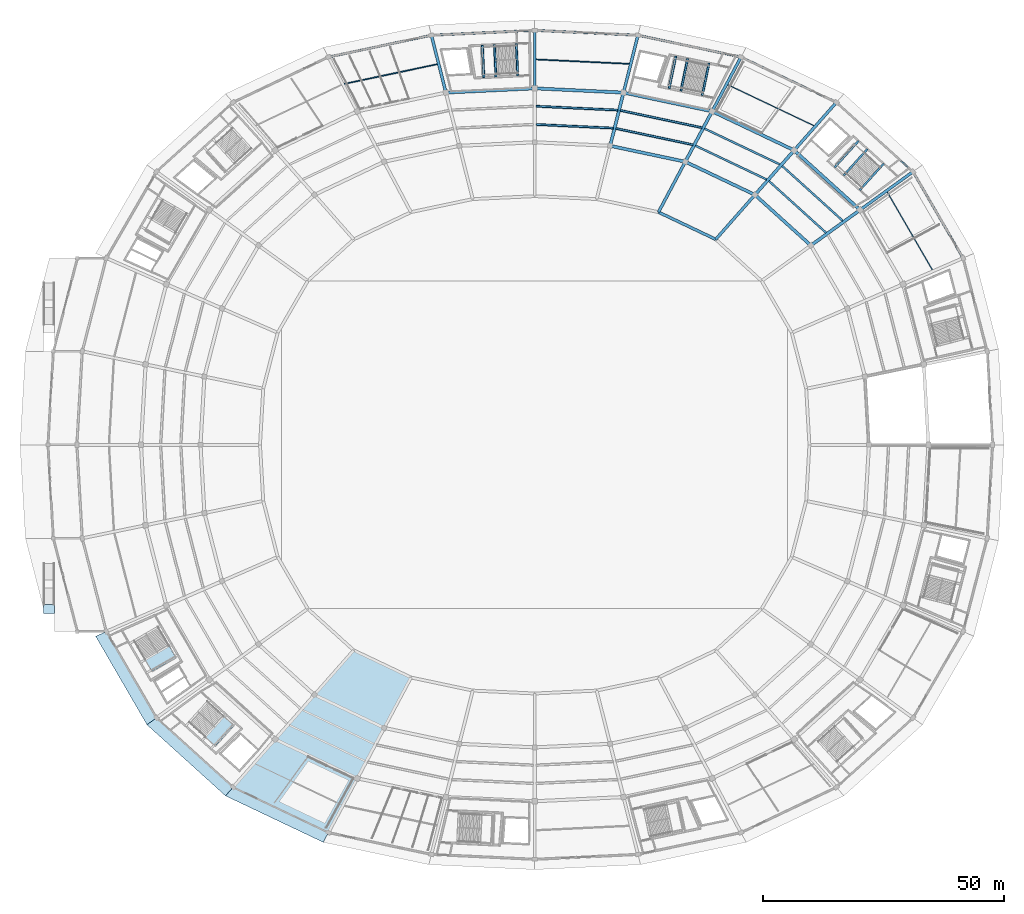
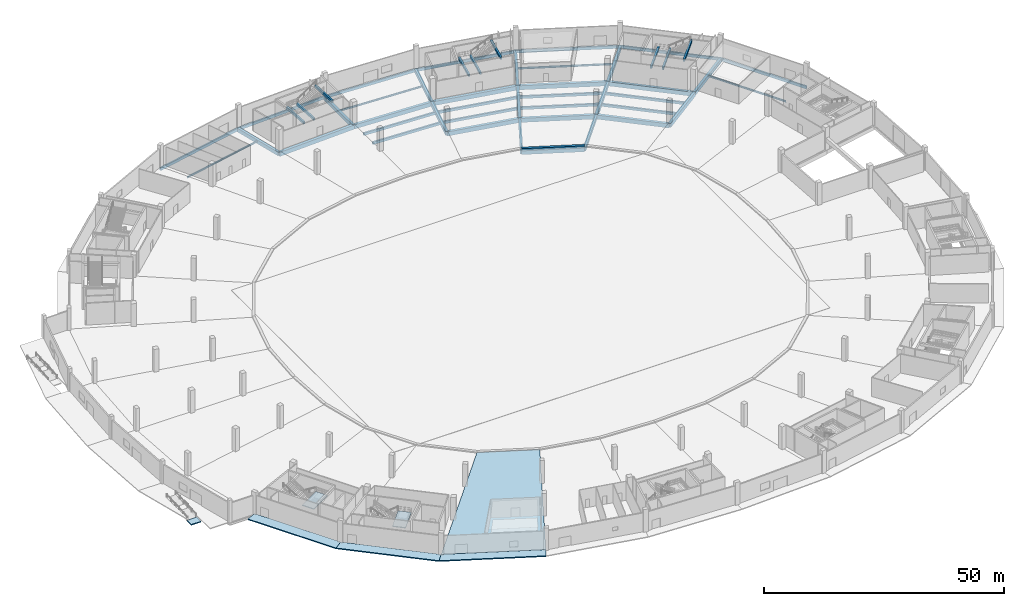
# One storey, part 6 of 48: 50 beams, 7 slabs, 3 elements without a shape of their own.
"""IFC4 building model written with IfcOpenShell, lengths in metres."""

import ifcopenshell
import ifcopenshell.guid

model = None  # the IFC model being written
_history = None  # IfcOwnerHistory: only IFC2X3 demands one
_inside = {}  # id of a spatial element -> (the spatial element, [elements in it])
_under = {}  # id of a project, library or spatial element -> (it, [spatial elements below it])
_declared = {}  # id of a project -> (the project, [libraries it declares])
_typed = {}  # id of a type object -> (the type object, [elements of that type])
_made_of = {}  # id of a material, layer set ... -> (it, [elements and type objects made of it])


def new_model(schema):
    """Start an empty IFC model of exactly this schema.

    Asked for "IFC4X3", IfcOpenShell would pick the latest addendum, in which some entities
    have other attributes; the version numbers below select the first issue.
    IFC2X3 requires an IfcOwnerHistory on every rooted entity: one is made here for all.
    """
    global model, _history
    if schema == "IFC4X3":
        model = ifcopenshell.file(schema_version=(4, 3, 0, 0))
    else:
        model = ifcopenshell.file(schema=schema)
    _inside.clear()
    _under.clear()
    _declared.clear()
    _typed.clear()
    _made_of.clear()
    _history = None
    if model.schema == "IFC2X3":
        org = make("IfcOrganization", Name="unknown")
        user = make(
            "IfcPersonAndOrganization",
            ThePerson=make("IfcPerson", FamilyName="unknown"),
            TheOrganization=org,
        )
        app = make(
            "IfcApplication",
            ApplicationDeveloper=org,
            Version="unknown",
            ApplicationFullName="unknown",
            ApplicationIdentifier="unknown",
        )
        _history = make(
            "IfcOwnerHistory",
            OwningUser=user,
            OwningApplication=app,
            ChangeAction="ADDED",
            CreationDate=0,
        )
    return model


def make(cls, **values):
    """One entity of the class cls with the attributes given. An attribute that is None is left unset."""
    return model.create_entity(
        cls, **{name: value for name, value in values.items() if value is not None}
    )


def rooted(cls, **values):
    """An entity with a GlobalId (a new one), such as an element, a storey or a relation."""
    return make(cls, GlobalId=ifcopenshell.guid.new(), OwnerHistory=_history, **values)


def si_unit(unit_type, name, prefix=None):
    """IfcSIUnit, for example si_unit("LENGTHUNIT", "METRE", prefix="MILLI")."""
    return make("IfcSIUnit", UnitType=unit_type, Prefix=prefix, Name=name)


def assignment(units):
    """IfcUnitAssignment: the units of a project."""
    return None if units is None else make("IfcUnitAssignment", Units=units)


def point(xyz):
    """IfcCartesianPoint."""
    return None if xyz is None else make("IfcCartesianPoint", Coordinates=xyz)


def direction(xyz):
    """IfcDirection."""
    return None if xyz is None else make("IfcDirection", DirectionRatios=xyz)


def frame(location, z_axis=None, x_axis=None):
    """IfcAxis2Placement3D, a coordinate frame: its origin and axes. An axis left out is left unset."""
    return make(
        "IfcAxis2Placement3D",
        Location=point(location),
        Axis=direction(z_axis),
        RefDirection=direction(x_axis),
    )


def frame_2d(location, x_axis=None):
    """IfcAxis2Placement2D, a coordinate frame in the plane: its origin and x axis."""
    return make(
        "IfcAxis2Placement2D", Location=point(location), RefDirection=direction(x_axis)
    )


def origin():
    """The frame at (0, 0, 0) with its axes left unset."""
    return frame((0.0, 0.0, 0.0))


def origin_2d():
    """The frame at (0, 0) in the plane with its x axis left unset."""
    return frame_2d((0.0, 0.0))


def place(relative_to, where):
    """IfcLocalPlacement: puts the frame where relative to a parent placement (None: the world)."""
    return make(
        "IfcLocalPlacement", PlacementRelTo=relative_to, RelativePlacement=where
    )


def context(
    kind, dimensions, precision=None, world=None, true_north=None, identifier=None
):
    """IfcGeometricRepresentationContext, for example the 3D "Model" context."""
    return make(
        "IfcGeometricRepresentationContext",
        ContextIdentifier=identifier,
        ContextType=kind,
        CoordinateSpaceDimension=dimensions,
        Precision=precision,
        WorldCoordinateSystem=world,
        TrueNorth=true_north,
    )


def subcontext(parent, identifier, kind, view, scale=None):
    """IfcGeometricRepresentationSubContext, for example "Body" below "Model"."""
    return make(
        "IfcGeometricRepresentationSubContext",
        ContextIdentifier=identifier,
        ContextType=kind,
        ParentContext=parent,
        TargetScale=scale,
        TargetView=view,
    )


def project(units=None, contexts=None):
    """IfcProject with its units and contexts."""
    return rooted(
        "IfcProject",
        Name="project",
        RepresentationContexts=contexts,
        UnitsInContext=assignment(units),
    )


def spatial(cls, under=None, at=None, **own):
    """A site, building, storey or space (cls), placed at a placement, below another one or the project."""
    s = rooted(cls, ObjectPlacement=at, **own)
    if under is not None:
        _under.setdefault(under.id(), (under, []))[1].append(s)
    return s


def polyline(points):
    """IfcPolyline through the points."""
    return make("IfcPolyline", Points=[point(p) for p in points])


def profile(cls, at=None, kind="AREA", **sizes):
    """A parametric profile (cls). Its sizes go by their IFC names, for example OverallWidth=200.0."""
    return make(cls, ProfileType=kind, Position=at, **sizes)


def rectangle(**sizes):
    """IfcRectangleProfileDef."""
    return profile("IfcRectangleProfileDef", **sizes)


def i_section(**sizes):
    """IfcIShapeProfileDef."""
    return profile("IfcIShapeProfileDef", **sizes)


def outline(outer, holes=None, kind="AREA"):
    """IfcArbitraryClosedProfileDef: a profile drawn as a closed curve; with holes, ...WithVoids."""
    if holes is None:
        return make("IfcArbitraryClosedProfileDef", ProfileType=kind, OuterCurve=outer)
    return make(
        "IfcArbitraryProfileDefWithVoids",
        ProfileType=kind,
        OuterCurve=outer,
        InnerCurves=holes,
    )


def extrude(swept, where, along, depth):
    """IfcExtrudedAreaSolid: the profile swept, set in the frame where, extruded along a direction by depth."""
    return make(
        "IfcExtrudedAreaSolid",
        SweptArea=swept,
        Position=where,
        ExtrudedDirection=direction(along),
        Depth=depth,
    )


def shape(context_of_items, identifier, shape_type, items):
    """IfcShapeRepresentation: the items that make up one representation, for example the "Body"."""
    return make(
        "IfcShapeRepresentation",
        ContextOfItems=context_of_items,
        RepresentationIdentifier=identifier,
        RepresentationType=shape_type,
        Items=items,
    )


def material(Name=None, Category=None):
    """IfcMaterial."""
    return make("IfcMaterial", Name=Name, Category=Category)


def layer(
    of_material, thickness, ventilated=None, Name=None, Category=None, Priority=None
):
    """IfcMaterialLayer: one layer of a wall or slab, of a material (None: an air gap)."""
    return make(
        "IfcMaterialLayer",
        Material=of_material,
        LayerThickness=thickness,
        IsVentilated=ventilated,
        Name=Name,
        Category=Category,
        Priority=Priority,
    )


def layer_set(layers, Name=None):
    """IfcMaterialLayerSet."""
    return make("IfcMaterialLayerSet", MaterialLayers=layers, LayerSetName=Name)


def material_profile(
    of_material, cross_section, Name=None, Category=None, Priority=None
):
    """IfcMaterialProfile: a cross section and its material."""
    return make(
        "IfcMaterialProfile",
        Name=Name,
        Material=of_material,
        Profile=cross_section,
        Priority=Priority,
        Category=Category,
    )


def profile_set(profiles, Name=None, composite=None):
    """IfcMaterialProfileSet."""
    return make(
        "IfcMaterialProfileSet",
        Name=Name,
        MaterialProfiles=profiles,
        CompositeProfile=composite,
    )


def made_of(thing, what):
    """Note that an element or type object is made of a material, layer set ...; save() writes the relation."""
    if what is not None:
        _made_of.setdefault(what.id(), (what, []))[1].append(thing)
    return thing


def type_object(cls, material=None, **own):
    """A type object (cls), such as IfcWallType, which elements share."""
    return made_of(rooted(cls, **own), material)


def element(
    cls,
    number,
    at=None,
    inside=None,
    cuts=None,
    type_object=None,
    material=None,
    context=None,
    identifier="Body",
    shape_type=None,
    held_by="IfcProductDefinitionShape",
    body=None,
    shapes=None,
    **own,
):
    """One element of the class cls, such as IfcWall. Its Tag is "e" and its number.

    at: its placement. inside: the storey or other place that contains it. cuts: it is an
    opening in that element (IfcRelVoidsElement). A single representation is given by context,
    identifier, shape_type and body (its items); several are given by shapes. held_by: the class
    of the entity that holds the representations. save() writes the other relations.
    """
    e = rooted(cls, Tag="e%d" % number, ObjectPlacement=at, **own)
    if body is not None:
        shapes = [shape(context, identifier, shape_type, body)]
    if shapes is not None:
        e.Representation = make(held_by, Representations=shapes)
    if inside is not None:
        _inside.setdefault(inside.id(), (inside, []))[1].append(e)
    if cuts is not None:
        rooted(
            "IfcRelVoidsElement", RelatingBuildingElement=cuts, RelatedOpeningElement=e
        )
    if type_object is not None:
        _typed.setdefault(type_object.id(), (type_object, []))[1].append(e)
    return made_of(e, material)


def aggregate(whole, parts):
    """IfcRelAggregates: a whole, such as a stair, and the parts it consists of."""
    return rooted("IfcRelAggregates", RelatingObject=whole, RelatedObjects=parts)


def save(model, path):
    """Write the relations noted so far, then the file.

    IfcRelAggregates (storeys below a building ...), IfcRelContainedInSpatialStructure (elements
    in a storey), IfcRelDefinesByType, IfcRelAssociatesMaterial and IfcRelDeclares: one each for
    every whole, place, type object, material and project.
    """
    for whole, parts in _under.values():
        aggregate(whole, parts)
    for where, things in _inside.values():
        rooted(
            "IfcRelContainedInSpatialStructure",
            RelatedElements=things,
            RelatingStructure=where,
        )
    for kind, things in _typed.values():
        rooted("IfcRelDefinesByType", RelatedObjects=things, RelatingType=kind)
    for what, things in _made_of.values():
        rooted("IfcRelAssociatesMaterial", RelatedObjects=things, RelatingMaterial=what)
    for by, libraries in _declared.values():
        rooted("IfcRelDeclares", RelatingContext=by, RelatedDefinitions=libraries)
    model.write(path)


model = new_model("IFC4")

# Units and contexts
model_context = context("Model", 3, precision=1e-05, world=origin(), true_north=direction((0.0, 1.0)))
body_context = subcontext(model_context, "Body", "Model", "MODEL_VIEW")
ifc_project = project(units=[si_unit("LENGTHUNIT", "METRE"), si_unit("AREAUNIT", "SQUARE_METRE"), si_unit("VOLUMEUNIT", "CUBIC_METRE"), si_unit("PLANEANGLEUNIT", "RADIAN"), si_unit("MASSUNIT", "GRAM", prefix="KILO")], contexts=[model_context])

# Site, building, storey
site_placement = place(None, origin())
site = spatial("IfcSite", under=ifc_project, at=site_placement, CompositionType="ELEMENT")
building_placement = place(site_placement, origin())
building = spatial("IfcBuilding", under=site, at=building_placement, Name="Kazemori Nagisa Stadium", CompositionType="ELEMENT")
storey_placement = place(building_placement, origin())
storey = spatial("IfcBuildingStorey", under=building, at=storey_placement, Name="L00", CompositionType="ELEMENT", Elevation=0.0)

# Beams
ifc_material_1 = material(Name="Concrete C40/50 (Fc42)", Category="concrete")
ifc_material_profile_1 = material_profile(ifc_material_1, rectangle(XDim=0.39990234375, YDim=0.60009765625, at=origin_2d()), Name="RC-BM-400x600")
ifc_profile_set_1 = profile_set([ifc_material_profile_1], Name="Concrete C40/50 (Fc42)")
beam_type_1 = type_object("IfcBeamType", Name="Beam_BG-LND400X600", PredefinedType="BEAM", material=ifc_profile_set_1)
beam_1_placement = place(storey_placement, frame((187.09619140625, 157.908203125, 2.389892578125), z_axis=(0.671113236271, 0.74135485707, 0.0), x_axis=(-0.74135485707, 0.671113236271, 0.0)))
element("IfcBeam", 1, at=beam_1_placement, inside=storey, type_object=beam_type_1, Name="Core stair mid-landing girder ST01-L00-1", PredefinedType="BEAM", context=body_context, shape_type="SweptSolid", body=[
    extrude(rectangle(XDim=0.39990234375, YDim=0.60009765625, at=origin_2d()), origin(), (0.0, 0.0, 1.0), 7.385986328125),
])
for number, where, z_axis, x_axis, name in (
    (2, (185.24267578125, 159.586181640625, 2.389892578125), (0.671129682405, 0.741339968837, 0.0), (-0.741339968837, 0.671129682405, 0.0), "Core stair mid-landing girder ST01-L00-2"),
    (3, (190.454345703125, 154.8681640625, 5.199951171875), (0.671129682405, 0.741339968837, 0.0), (-0.741339968837, 0.671129682405, 0.0), "Core stair arrival header girder ST01-L00"),
):
    element("IfcBeam", number, at=place(storey_placement, frame(where, z_axis=z_axis, x_axis=x_axis)), inside=storey, type_object=beam_type_1, Name=name, PredefinedType="BEAM", context=body_context, shape_type="SweptSolid", body=[
        extrude(rectangle(XDim=0.39990234375, YDim=0.60009765625, at=origin_2d()), origin(), (0.0, 0.0, 1.0), 7.3857421875),
    ])
for number, where, z_axis, x_axis, name in (
    (4, (153.32275390625, 175.436767578125, 2.389892578125), (0.206963195966, 0.97834872899, 0.0), (-0.97834872899, 0.206963195966, 0.0), "Core stair mid-landing girder ST11-L00-1"),
    (5, (150.876708984375, 175.954345703125, 2.389892578125), (0.206997403527, 0.978341491982, 0.0), (-0.978341491982, 0.206997403527, 0.0), "Core stair mid-landing girder ST11-L00-2"),
    (6, (157.754638671875, 174.499267578125, 5.199951171875), (0.206963195966, 0.97834872899, 0.0), (-0.97834872899, 0.206963195966, 0.0), "Core stair arrival header girder ST11-L00"),
):
    element("IfcBeam", number, at=place(storey_placement, frame(where, z_axis=z_axis, x_axis=x_axis)), inside=storey, type_object=beam_type_1, Name=name, PredefinedType="BEAM", context=body_context, shape_type="SweptSolid", body=[
        extrude(rectangle(XDim=0.39990234375, YDim=0.60009765625, at=origin_2d()), origin(), (0.0, 0.0, 1.0), 6.831298828125),
    ])
beam_2_placement = place(storey_placement, frame((114.95556640625, 178.33154296875, 2.389892578125), z_axis=(-0.047257010545, 0.998882763368, 0.0), x_axis=(-0.998882763368, -0.047257010545, 0.0)))
element("IfcBeam", 7, at=beam_2_placement, inside=storey, type_object=beam_type_1, Name="Core stair mid-landing girder ST05-L00-1", PredefinedType="BEAM", context=body_context, shape_type="SweptSolid", body=[
    extrude(rectangle(XDim=0.39990234375, YDim=0.60009765625, at=origin_2d()), origin(), (0.0, 0.0, 1.0), 6.70068359375),
])
for number, where, z_axis, x_axis, name in (
    (8, (112.458251953125, 178.213623046875, 2.389892578125), (-0.047222374852, 0.998884401377, 0.0), (-0.998884401377, -0.047222374852, 0.0), "Core stair mid-landing girder ST05-L00-2"),
    (9, (119.48046875, 178.545654296875, 5.199951171875), (-0.047222374852, 0.998884401377, 0.0), (-0.998884401377, -0.047222374852, 0.0), "Core stair arrival header girder ST05-L00"),
):
    element("IfcBeam", number, at=place(storey_placement, frame(where, z_axis=z_axis, x_axis=x_axis)), inside=storey, type_object=beam_type_1, Name=name, PredefinedType="BEAM", context=body_context, shape_type="SweptSolid", body=[
        extrude(rectangle(XDim=0.39990234375, YDim=0.60009765625, at=origin_2d()), origin(), (0.0, 0.0, 1.0), 6.700439453125),
    ])
ifc_material_profile_2 = material_profile(ifc_material_1, rectangle(XDim=0.60009765625, YDim=0.949951171875, at=origin_2d()), Name="RC-BM-600x950")
ifc_profile_set_2 = profile_set([ifc_material_profile_2], Name="Concrete C40/50 (Fc42)")
beam_type_2 = type_object("IfcBeamType", Name="Beam_BG-RC600X950", PredefinedType="BEAM", material=ifc_profile_set_2)
beam_3_placement = place(storey_placement, frame((160.558837890625, 144.635498046875, -0.77490234375), z_axis=(-0.903219207247, 0.429179523812, 0.0), x_axis=(-0.429179523812, -0.903219207247, 0.0)))
element("IfcBeam", 10, at=beam_3_placement, inside=storey, type_object=beam_type_2, Name="Ring girder BG-RC600X950 L00 R0-05", PredefinedType="BEAM", context=body_context, shape_type="SweptSolid", body=[
    extrude(rectangle(XDim=0.60009765625, YDim=0.949951171875, at=origin_2d()), origin(), (0.0, 0.0, 1.0), 13.1484375),
])
beam_4_placement = place(storey_placement, frame((160.558837890625, 144.635498046875, -0.77490234375), z_axis=(0.66102389667, 0.750364849943, 0.0), x_axis=(-0.750364849943, 0.66102389667, 0.0)))
element("IfcBeam", 11, at=beam_4_placement, inside=storey, type_object=beam_type_2, Name="Radial girder BG-RC600X950 L00 R0-R1-05", PredefinedType="BEAM", context=body_context, shape_type="SweptSolid", body=[
    extrude(rectangle(XDim=0.60009765625, YDim=0.949951171875, at=origin_2d()), origin(), (0.0, 0.0, 1.0), 12.310791015625),
])
beam_5_placement = place(storey_placement, frame((148.682861328125, 150.278564453125, -0.77490234375), z_axis=(0.469654321007, 0.882850394325, 0.0), x_axis=(-0.882850394325, 0.469654321007, 0.0)))
element("IfcBeam", 12, at=beam_5_placement, inside=storey, type_object=beam_type_2, Name="Radial girder BG-RC600X950 L00 R0-R1-06", PredefinedType="BEAM", context=body_context, shape_type="SweptSolid", body=[
    extrude(rectangle(XDim=0.60009765625, YDim=0.949951171875, at=origin_2d()), origin(), (0.0, 0.0, 1.0), 11.848388671875),
])
beam_6_placement = place(storey_placement, frame((190.506103515625, 150.734130859375, -0.77490234375), z_axis=(0.810787509935, 0.585340596349, 0.0), x_axis=(-0.585340596349, 0.810787509935, 0.0)))
element("IfcBeam", 13, at=beam_6_placement, inside=storey, type_object=beam_type_2, Name="Radial girder BG-RC600X950 L00 R2-R3-04", PredefinedType="BEAM", context=body_context, shape_type="SweptSolid", body=[
    extrude(rectangle(XDim=0.60009765625, YDim=0.949951171875, at=origin_2d()), origin(), (0.0, 0.0, 1.0), 13.5537109375),
])
beam_7_placement = place(storey_placement, frame((176.834228515625, 163.11083984375, -0.77490234375), z_axis=(0.661019680997, 0.750368563664, 0.0), x_axis=(-0.750368563664, 0.661019680997, 0.0)))
element("IfcBeam", 14, at=beam_7_placement, inside=storey, type_object=beam_type_2, Name="Radial girder BG-RC600X950 L00 R2-R3-05", PredefinedType="BEAM", context=body_context, shape_type="SweptSolid", body=[
    extrude(rectangle(XDim=0.60009765625, YDim=0.949951171875, at=origin_2d()), origin(), (0.0, 0.0, 1.0), 13.2578125),
])
beam_8_placement = place(storey_placement, frame((159.81201171875, 171.19921875, -0.77490234375), z_axis=(0.469648511848, 0.882853484628, 0.0), x_axis=(-0.882853484628, 0.469648511848, 0.0)))
element("IfcBeam", 15, at=beam_8_placement, inside=storey, type_object=beam_type_2, Name="Radial girder BG-RC600X950 L00 R2-R3-06", PredefinedType="BEAM", context=body_context, shape_type="SweptSolid", body=[
    extrude(rectangle(XDim=0.60009765625, YDim=0.949951171875, at=origin_2d()), origin(), (0.0, 0.0, 1.0), 12.760009765625),
])
beam_9_placement = place(storey_placement, frame((141.427734375, 175.088623046875, -0.77490234375), z_axis=(0.244487324834, 0.969652488263, 0.0), x_axis=(-0.969652488263, 0.244487324834, 0.0)))
element("IfcBeam", 16, at=beam_9_placement, inside=storey, type_object=beam_type_2, Name="Radial girder BG-RC600X950 L00 R2-R3-07", PredefinedType="BEAM", context=body_context, shape_type="SweptSolid", body=[
    extrude(rectangle(XDim=0.60009765625, YDim=0.949951171875, at=origin_2d()), origin(), (0.0, 0.0, 1.0), 12.2705078125),
])
beam_10_placement = place(storey_placement, frame((123.0, 175.9599609375, -0.77490234375), z_axis=(0.0, 1.0, 0.0), x_axis=(-1.0, 0.0, 0.0)))
element("IfcBeam", 17, at=beam_10_placement, inside=storey, type_object=beam_type_2, Name="Radial girder BG-RC600X950 L00 R2-R3-08", PredefinedType="BEAM", context=body_context, shape_type="SweptSolid", body=[
    extrude(rectangle(XDim=0.60009765625, YDim=0.949951171875, at=origin_2d()), origin(), (0.0, 0.0, 1.0), 12.0400390625),
])
beam_11_placement = place(storey_placement, frame((104.572265625, 175.088623046875, -0.77490234375), z_axis=(-0.244487324834, 0.969652488263, 0.0), x_axis=(-0.969652488263, -0.244487324834, 0.0)))
element("IfcBeam", 18, at=beam_11_placement, inside=storey, type_object=beam_type_2, Name="Radial girder BG-RC600X950 L00 R2-R3-09", PredefinedType="BEAM", context=body_context, shape_type="SweptSolid", body=[
    extrude(rectangle(XDim=0.60009765625, YDim=0.949951171875, at=origin_2d()), origin(), (0.0, 0.0, 1.0), 12.2705078125),
])
beam_12_placement = place(storey_placement, frame((160.558837890625, 144.635498046875, -0.199951171875), z_axis=(-0.903219207247, 0.429179523812, 0.0), x_axis=(-0.429179523812, -0.903219207247, 0.0)))
element("IfcBeam", 19, at=beam_12_placement, inside=storey, type_object=beam_type_2, Name="Lower tier front ring beam 05", PredefinedType="BEAM", context=body_context, shape_type="SweptSolid", body=[
    extrude(rectangle(XDim=0.60009765625, YDim=0.949951171875, at=origin_2d()), origin(), (0.0, 0.0, 1.0), 13.1484375),
])
ifc_material_profile_3 = material_profile(ifc_material_1, rectangle(XDim=0.64990234375, YDim=1.050048828125, at=origin_2d()), Name="RC-BM-650x1050")
ifc_profile_set_3 = profile_set([ifc_material_profile_3], Name="Concrete C40/50 (Fc42)")
beam_type_3 = type_object("IfcBeamType", Name="Beam_BG-RC650X1050", PredefinedType="BEAM", material=ifc_profile_set_3)
beam_13_placement = place(storey_placement, frame((180.301513671875, 143.367431640625, -0.824951171875), z_axis=(-0.741349160152, 0.6711195294, 0.0), x_axis=(-0.6711195294, -0.741349160152, 0.0)))
element("IfcBeam", 20, at=beam_13_placement, inside=storey, type_object=beam_type_3, Name="Ring girder BG-RC650X1050 L00 R1-04", PredefinedType="BEAM", context=body_context, shape_type="SweptSolid", body=[
    extrude(rectangle(XDim=0.64990234375, YDim=1.050048828125, at=origin_2d()), origin(), (0.0, 0.0, 1.0), 15.65380859375),
])
beam_14_placement = place(storey_placement, frame((168.696533203125, 153.873046875, -0.824951171875), z_axis=(-0.903211989129, 0.429194714196, 0.0), x_axis=(-0.429194714196, -0.903211989129, 0.0)))
element("IfcBeam", 21, at=beam_14_placement, inside=storey, type_object=beam_type_3, Name="Ring girder BG-RC650X1050 L00 R1-05", PredefinedType="BEAM", context=body_context, shape_type="SweptSolid", body=[
    extrude(rectangle(XDim=0.64990234375, YDim=1.050048828125, at=origin_2d()), origin(), (0.0, 0.0, 1.0), 15.997314453125),
])
beam_15_placement = place(storey_placement, frame((154.24755859375, 160.739013671875, -0.824951171875), z_axis=(-0.978348272746, 0.206965352692, 0.0), x_axis=(-0.206965352692, -0.978348272746, 0.0)))
element("IfcBeam", 22, at=beam_15_placement, inside=storey, type_object=beam_type_3, Name="Ring girder BG-RC650X1050 L00 R1-06", PredefinedType="BEAM", context=body_context, shape_type="SweptSolid", body=[
    extrude(rectangle(XDim=0.64990234375, YDim=1.050048828125, at=origin_2d()), origin(), (0.0, 0.0, 1.0), 15.950927734375),
])
beam_16_placement = place(storey_placement, frame((190.506103515625, 150.734130859375, -0.824951171875), z_axis=(-0.741349142139, 0.671119549298, 0.0), x_axis=(-0.671119549298, -0.741349142139, 0.0)))
element("IfcBeam", 23, at=beam_16_placement, inside=storey, type_object=beam_type_3, Name="Ring girder BG-RC650X1050 L00 R2-04", PredefinedType="BEAM", context=body_context, shape_type="SweptSolid", body=[
    extrude(rectangle(XDim=0.64990234375, YDim=1.050048828125, at=origin_2d()), origin(), (0.0, 0.0, 1.0), 18.44189453125),
])
beam_17_placement = place(storey_placement, frame((176.834228515625, 163.11083984375, -0.824951171875), z_axis=(-0.90321938295, 0.42917915404, 0.0), x_axis=(-0.42917915404, -0.90321938295, 0.0)))
element("IfcBeam", 24, at=beam_17_placement, inside=storey, type_object=beam_type_3, Name="Ring girder BG-RC650X1050 L00 R2-05", PredefinedType="BEAM", context=body_context, shape_type="SweptSolid", body=[
    extrude(rectangle(XDim=0.64990234375, YDim=1.050048828125, at=origin_2d()), origin(), (0.0, 0.0, 1.0), 18.84619140625),
])
beam_18_placement = place(storey_placement, frame((159.81201171875, 171.19921875, -0.824951171875), z_axis=(-0.978345149833, 0.206980114499, 0.0), x_axis=(-0.206980114499, -0.978345149833, 0.0)))
element("IfcBeam", 25, at=beam_18_placement, inside=storey, type_object=beam_type_3, Name="Ring girder BG-RC650X1050 L00 R2-06", PredefinedType="BEAM", context=body_context, shape_type="SweptSolid", body=[
    extrude(rectangle(XDim=0.64990234375, YDim=1.050048828125, at=origin_2d()), origin(), (0.0, 0.0, 1.0), 18.791259765625),
])
for number, where, z_axis, x_axis, name in (
    (26, (141.427734375, 175.088623046875, -0.824951171875), (-0.9988839804, 0.047231278829, 0.0), (-0.047231278829, -0.9988839804, 0.0), "Ring girder BG-RC650X1050 L00 R2-07"),
    (27, (123.0, 175.9599609375, -0.824951171875), (-0.9988839804, -0.047231278829, 0.0), (0.047231278829, -0.9988839804, 0.0), "Ring girder BG-RC650X1050 L00 R2-08"),
):
    element("IfcBeam", number, at=place(storey_placement, frame(where, z_axis=z_axis, x_axis=x_axis)), inside=storey, type_object=beam_type_3, Name=name, PredefinedType="BEAM", context=body_context, shape_type="SweptSolid", body=[
        extrude(rectangle(XDim=0.64990234375, YDim=1.050048828125, at=origin_2d()), origin(), (0.0, 0.0, 1.0), 18.4482421875),
    ])
beam_19_placement = place(storey_placement, frame((180.301513671875, 143.367431640625, -0.824951171875), z_axis=(0.810802996314, 0.585319144714, 0.0), x_axis=(-0.585319144714, 0.810802996314, 0.0)))
element("IfcBeam", 28, at=beam_19_placement, inside=storey, type_object=beam_type_3, Name="Radial girder BG-RC650X1050 L00 R1-R2-04", PredefinedType="BEAM", context=body_context, shape_type="SweptSolid", body=[
    extrude(rectangle(XDim=0.64990234375, YDim=1.050048828125, at=origin_2d()), origin(), (0.0, 0.0, 1.0), 12.585693359375),
])
beam_20_placement = place(storey_placement, frame((168.696533203125, 153.873046875, -0.824951171875), z_axis=(0.66101406015, 0.75037351518, 0.0), x_axis=(-0.75037351518, 0.66101406015, 0.0)))
element("IfcBeam", 29, at=beam_20_placement, inside=storey, type_object=beam_type_3, Name="Radial girder BG-RC650X1050 L00 R1-R2-05", PredefinedType="BEAM", context=body_context, shape_type="SweptSolid", body=[
    extrude(rectangle(XDim=0.64990234375, YDim=1.050048828125, at=origin_2d()), origin(), (0.0, 0.0, 1.0), 12.31103515625),
])
beam_21_placement = place(storey_placement, frame((154.24755859375, 160.739013671875, -0.824951171875), z_axis=(0.469646804203, 0.882854393036, 0.0), x_axis=(-0.882854393036, 0.469646804203, 0.0)))
element("IfcBeam", 30, at=beam_21_placement, inside=storey, type_object=beam_type_3, Name="Radial girder BG-RC650X1050 L00 R1-R2-06", PredefinedType="BEAM", context=body_context, shape_type="SweptSolid", body=[
    extrude(rectangle(XDim=0.64990234375, YDim=1.050048828125, at=origin_2d()), origin(), (0.0, 0.0, 1.0), 11.84814453125),
])
beam_22_placement = place(storey_placement, frame((138.64208984375, 164.040283203125, -0.824951171875), z_axis=(0.244481205955, 0.969654031052, 0.0), x_axis=(-0.969654031052, 0.244481205955, 0.0)))
element("IfcBeam", 31, at=beam_22_placement, inside=storey, type_object=beam_type_3, Name="Radial girder BG-RC650X1050 L00 R1-R2-07", PredefinedType="BEAM", context=body_context, shape_type="SweptSolid", body=[
    extrude(rectangle(XDim=0.64990234375, YDim=1.050048828125, at=origin_2d()), origin(), (0.0, 0.0, 1.0), 11.39404296875),
])
ifc_material_2 = material(Name="Steel SN490B", Category="steel")
ifc_material_profile_4 = material_profile(ifc_material_2, i_section(OverallWidth=0.199951171875, OverallDepth=0.449951171875, WebThickness=0.009033203125, FlangeThickness=0.013916015625, FilletRadius=0.012939453125, at=origin_2d()), Name="H-450x200x9x14")
ifc_profile_set_4 = profile_set([ifc_material_profile_4], Name="Steel SN490B")
beam_type_4 = type_object("IfcBeamType", Name="Beam_BJ-H450", PredefinedType="JOIST", material=ifc_profile_set_4)
beam_23_placement = place(storey_placement, frame((205.514892578125, 138.292236328125, -0.52490234375), z_axis=(-0.501603616832, 0.865097573446, 0.0), x_axis=(-0.865097573446, -0.501603616832, 0.0)))
element("IfcBeam", 32, at=beam_23_placement, inside=storey, type_object=beam_type_4, Name="Outer bay joist BJ-H450 L00 B03", PredefinedType="JOIST", context=body_context, shape_type="SweptSolid", body=[
    extrude(i_section(OverallWidth=0.199951171875, OverallDepth=0.449951171875, WebThickness=0.009033203125, FlangeThickness=0.013916015625, FilletRadius=0.012939453125, at=origin_2d()), origin(), (0.0, 0.0, 1.0), 18.672607421875),
])
beam_24_placement = place(storey_placement, frame((180.94970703125, 168.21142578125, -0.52490234375), z_axis=(-0.903215938438, 0.429186403036, 0.0), x_axis=(-0.429186403036, -0.903215938438, 0.0)))
element("IfcBeam", 33, at=beam_24_placement, inside=storey, type_object=beam_type_4, Name="Outer bay joist BJ-H450 L00 B05", PredefinedType="JOIST", context=body_context, shape_type="SweptSolid", body=[
    extrude(i_section(OverallWidth=0.199951171875, OverallDepth=0.449951171875, WebThickness=0.009033203125, FlangeThickness=0.013916015625, FilletRadius=0.012939453125, at=origin_2d()), origin(), (0.0, 0.0, 1.0), 19.7900390625),
])
beam_25_placement = place(storey_placement, frame((142.633056640625, 181.0517578125, -0.52490234375), z_axis=(-0.998884200224, 0.04722662959, 0.0), x_axis=(-0.04722662959, -0.998884200224, 0.0)))
element("IfcBeam", 34, at=beam_25_placement, inside=storey, type_object=beam_type_4, Name="Outer bay joist BJ-H450 L00 B07", PredefinedType="JOIST", context=body_context, shape_type="SweptSolid", body=[
    extrude(i_section(OverallWidth=0.199951171875, OverallDepth=0.449951171875, WebThickness=0.009033203125, FlangeThickness=0.013916015625, FilletRadius=0.012939453125, at=origin_2d()), origin(), (0.0, 0.0, 1.0), 19.35986328125),
])
beam_26_placement = place(storey_placement, frame((102.78369140625, 180.976806640625, -0.52490234375), z_axis=(-0.978343969274, -0.206985694639, 0.0), x_axis=(0.206985694639, -0.978343969274, 0.0)))
element("IfcBeam", 35, at=beam_26_placement, inside=storey, type_object=beam_type_4, Name="Outer bay joist BJ-H450 L00 B09", PredefinedType="JOIST", context=body_context, shape_type="SweptSolid", body=[
    extrude(i_section(OverallWidth=0.199951171875, OverallDepth=0.449951171875, WebThickness=0.009033203125, FlangeThickness=0.013916015625, FilletRadius=0.012939453125, at=origin_2d()), origin(), (0.0, 0.0, 1.0), 19.730712890625),
])
ifc_material_profile_5 = material_profile(ifc_material_1, rectangle(XDim=0.39990234375, YDim=0.64990234375, at=origin_2d()), Name="RC-BM-400x650")
ifc_profile_set_5 = profile_set([ifc_material_profile_5], Name="Concrete C40/50 (Fc42)")
beam_type_5 = type_object("IfcBeamType", Name="Beam_BJ-RC400X650", PredefinedType="JOIST", material=ifc_profile_set_5)
beam_27_placement = place(storey_placement, frame((183.458251953125, 146.001953125, -0.625), z_axis=(-0.741344716793, 0.671124437704, 0.0), x_axis=(-0.671124437704, -0.741344716793, 0.0)))
element("IfcBeam", 36, at=beam_27_placement, inside=storey, type_object=beam_type_5, Name="Concourse joist BJ-RC400X650 L00 B04-1", PredefinedType="JOIST", context=body_context, shape_type="SweptSolid", body=[
    extrude(rectangle(XDim=0.39990234375, YDim=0.64990234375, at=origin_2d()), origin(), (0.0, 0.0, 1.0), 15.986328125),
])
beam_28_placement = place(storey_placement, frame((186.912109375, 148.495361328125, -0.625), z_axis=(-0.741349213887, 0.671119470041, 0.0), x_axis=(-0.671119470041, -0.741349213887, 0.0)))
element("IfcBeam", 37, at=beam_28_placement, inside=storey, type_object=beam_type_5, Name="Concourse joist BJ-RC400X650 L00 B04-2", PredefinedType="JOIST", context=body_context, shape_type="SweptSolid", body=[
    extrude(rectangle(XDim=0.39990234375, YDim=0.64990234375, at=origin_2d()), origin(), (0.0, 0.0, 1.0), 16.9296875),
])
beam_29_placement = place(storey_placement, frame((171.121826171875, 157.05517578125, -0.625), z_axis=(-0.903215717065, 0.429186868912, 0.0), x_axis=(-0.429186868912, -0.903215717065, 0.0)))
element("IfcBeam", 38, at=beam_29_placement, inside=storey, type_object=beam_type_5, Name="Concourse joist BJ-RC400X650 L00 B05-1", PredefinedType="JOIST", context=body_context, shape_type="SweptSolid", body=[
    extrude(rectangle(XDim=0.39990234375, YDim=0.64990234375, at=origin_2d()), origin(), (0.0, 0.0, 1.0), 16.349609375),
])
beam_30_placement = place(storey_placement, frame((173.8759765625, 160.181884765625, -0.625), z_axis=(-0.903215468459, 0.429187392099, 0.0), x_axis=(-0.429187392099, -0.903215468459, 0.0)))
element("IfcBeam", 39, at=beam_30_placement, inside=storey, type_object=beam_type_5, Name="Concourse joist BJ-RC400X650 L00 B05-2", PredefinedType="JOIST", context=body_context, shape_type="SweptSolid", body=[
    extrude(rectangle(XDim=0.39990234375, YDim=0.64990234375, at=origin_2d()), origin(), (0.0, 0.0, 1.0), 17.31396484375),
])
beam_31_placement = place(storey_placement, frame((155.799560546875, 164.260009765625, -0.625), z_axis=(-0.978345737153, 0.206977338361, 0.0), x_axis=(-0.206977338361, -0.978345737153, 0.0)))
element("IfcBeam", 40, at=beam_31_placement, inside=storey, type_object=beam_type_5, Name="Concourse joist BJ-RC400X650 L00 B06-1", PredefinedType="JOIST", context=body_context, shape_type="SweptSolid", body=[
    extrude(rectangle(XDim=0.39990234375, YDim=0.64990234375, at=origin_2d()), origin(), (0.0, 0.0, 1.0), 16.30029296875),
])
beam_32_placement = place(storey_placement, frame((157.682861328125, 167.80029296875, -0.625), z_axis=(-0.97834325925, 0.206989050628, 0.0), x_axis=(-0.206989050628, -0.97834325925, 0.0)))
element("IfcBeam", 41, at=beam_32_placement, inside=storey, type_object=beam_type_5, Name="Concourse joist BJ-RC400X650 L00 B06-2", PredefinedType="JOIST", context=body_context, shape_type="SweptSolid", body=[
    extrude(rectangle(XDim=0.39990234375, YDim=0.64990234375, at=origin_2d()), origin(), (0.0, 0.0, 1.0), 17.26171875),
])
beam_33_placement = place(storey_placement, frame((139.26904296875, 167.708740234375, -0.625), z_axis=(-0.998883867028, 0.047233676462, 0.0), x_axis=(-0.047233676462, -0.998883867028, 0.0)))
element("IfcBeam", 42, at=beam_33_placement, inside=storey, type_object=beam_type_5, Name="Concourse joist BJ-RC400X650 L00 B07-1", PredefinedType="JOIST", context=body_context, shape_type="SweptSolid", body=[
    extrude(rectangle(XDim=0.39990234375, YDim=0.64990234375, at=origin_2d()), origin(), (0.0, 0.0, 1.0), 15.9921875),
])
beam_34_placement = place(storey_placement, frame((140.211669921875, 171.4482421875, -0.625), z_axis=(-0.998884256715, 0.047225434754, 0.0), x_axis=(-0.047225434754, -0.998884256715, 0.0)))
element("IfcBeam", 43, at=beam_34_placement, inside=storey, type_object=beam_type_5, Name="Concourse joist BJ-RC400X650 L00 B07-2", PredefinedType="JOIST", context=body_context, shape_type="SweptSolid", body=[
    extrude(rectangle(XDim=0.39990234375, YDim=0.64990234375, at=origin_2d()), origin(), (0.0, 0.0, 1.0), 16.935791015625),
])
ifc_material_profile_6 = material_profile(ifc_material_1, rectangle(XDim=0.35009765625, YDim=0.699951171875, at=origin_2d()), Name="RC-SP-350x700")
ifc_profile_set_6 = profile_set([ifc_material_profile_6], Name="Concrete C40/50 (Fc42)")
beam_type_6 = type_object("IfcBeamType", Name="Beam_BS-RC350X700", PredefinedType="SPANDREL", material=ifc_profile_set_6)
beam_35_placement = place(storey_placement, frame((211.885009765625, 140.74951171875, -0.64990234375), z_axis=(-0.50161277459, 0.8650922635, 0.0), x_axis=(-0.8650922635, -0.50161277459, 0.0)))
element("IfcBeam", 44, at=beam_35_placement, inside=storey, type_object=beam_type_6, Name="Ring girder BS-RC350X700 L00 R3-03", PredefinedType="SPANDREL", context=body_context, shape_type="SweptSolid", body=[
    extrude(rectangle(XDim=0.35009765625, YDim=0.699951171875, at=origin_2d()), origin(), (0.0, 0.0, 1.0), 20.71240234375),
])
beam_36_placement = place(storey_placement, frame((201.495361328125, 158.667724609375, -0.64990234375), z_axis=(-0.741351531326, 0.671116910084, 0.0), x_axis=(-0.671116910084, -0.741351531326, 0.0)))
element("IfcBeam", 45, at=beam_36_placement, inside=storey, type_object=beam_type_6, Name="Ring girder BS-RC350X700 L00 R3-04", PredefinedType="SPANDREL", context=body_context, shape_type="SweptSolid", body=[
    extrude(rectangle(XDim=0.35009765625, YDim=0.699951171875, at=origin_2d()), origin(), (0.0, 0.0, 1.0), 21.44384765625),
])
beam_37_placement = place(storey_placement, frame((185.597900390625, 173.05908203125, -0.64990234375), z_axis=(-0.903215644095, 0.429187022475, 0.0), x_axis=(-0.429187022475, -0.903215644095, 0.0)))
element("IfcBeam", 46, at=beam_37_placement, inside=storey, type_object=beam_type_6, Name="Ring girder BS-RC350X700 L00 R3-05", PredefinedType="SPANDREL", context=body_context, shape_type="SweptSolid", body=[
    extrude(rectangle(XDim=0.35009765625, YDim=0.699951171875, at=origin_2d()), origin(), (0.0, 0.0, 1.0), 21.9140625),
])
beam_38_placement = place(storey_placement, frame((165.8046875, 182.46435546875, -0.64990234375), z_axis=(-0.97834587432, 0.206976689994, 0.0), x_axis=(-0.206976689994, -0.97834587432, 0.0)))
element("IfcBeam", 47, at=beam_38_placement, inside=storey, type_object=beam_type_6, Name="Ring girder BS-RC350X700 L00 R3-06", PredefinedType="SPANDREL", context=body_context, shape_type="SweptSolid", body=[
    extrude(rectangle(XDim=0.35009765625, YDim=0.699951171875, at=origin_2d()), origin(), (0.0, 0.0, 1.0), 21.85009765625),
])
for number, where, z_axis, x_axis, name in (
    (48, (144.427734375, 186.98681640625, -0.64990234375), (-0.998883994571, 0.047230979144, 0.0), (-0.047230979144, -0.998883994571, 0.0), "Ring girder BS-RC350X700 L00 R3-07"),
    (49, (123.0, 188.0, -0.64990234375), (-0.998883994571, -0.047230979144, 0.0), (0.047230979144, -0.998883994571, 0.0), "Ring girder BS-RC350X700 L00 R3-08"),
):
    element("IfcBeam", number, at=place(storey_placement, frame(where, z_axis=z_axis, x_axis=x_axis)), inside=storey, type_object=beam_type_6, Name=name, PredefinedType="SPANDREL", context=body_context, shape_type="SweptSolid", body=[
        extrude(rectangle(XDim=0.35009765625, YDim=0.699951171875, at=origin_2d()), origin(), (0.0, 0.0, 1.0), 21.45166015625),
    ])
beam_39_placement = place(storey_placement, frame((101.572265625, 186.98681640625, -0.64990234375), z_axis=(-0.97834587432, -0.206976689994, 0.0), x_axis=(0.206976689994, -0.97834587432, 0.0)))
element("IfcBeam", 50, at=beam_39_placement, inside=storey, type_object=beam_type_6, Name="Ring girder BS-RC350X700 L00 R3-09", PredefinedType="SPANDREL", context=body_context, shape_type="SweptSolid", body=[
    extrude(rectangle(XDim=0.35009765625, YDim=0.699951171875, at=origin_2d()), origin(), (0.0, 0.0, 1.0), 21.85009765625),
])

# Slabs
ifc_material_3 = material(Name="Concrete C36/45 (Fc36)", Category="concrete")
ifc_layer_1 = layer(ifc_material_3, 0.25, Name="Concrete C36/45 (Fc36)", Category="concrete")
ifc_layer_set_1 = layer_set([ifc_layer_1], Name="Concrete C36/45 (Fc36)")
slab_type_1 = type_object("IfcSlabType", Name="Slab_SL-APRON-250", PredefinedType="FLOOR", material=ifc_layer_set_1)
slab_1_placement = place(storey_placement, frame((0.0, 0.0, -0.25)))
element("IfcSlab", 51, at=slab_1_placement, inside=storey, type_object=slab_type_1, Name="Exterior entrance plaza apron L00 bay 17", PredefinedType="FLOOR", context=body_context, shape_type="SweptSolid", body=[
    extrude(outline(polyline([(34.114990234375, 63.25048828125), (44.504638671875, 45.332275390625), (42.542236328125, 43.915771484375), (31.89306640625, 62.28173828125), (34.114990234375, 63.25048828125)])), origin(), (0.0, 0.0, 1.0), 0.25),
])
slab_2_placement = place(storey_placement, frame((0.0, 0.0, -0.25)))
element("IfcSlab", 52, at=slab_2_placement, inside=storey, type_object=slab_type_1, Name="Exterior entrance plaza apron L00 bay 18", PredefinedType="FLOOR", context=body_context, shape_type="SweptSolid", body=[
    extrude(outline(polyline([(44.504638671875, 45.332275390625), (60.402099609375, 30.94091796875), (58.837158203125, 29.16455078125), (42.542236328125, 43.915771484375), (44.504638671875, 45.332275390625)])), origin(), (0.0, 0.0, 1.0), 0.25),
])
slab_3_placement = place(storey_placement, frame((0.0, 0.0, -0.25)))
element("IfcSlab", 53, at=slab_3_placement, inside=storey, type_object=slab_type_1, Name="Exterior entrance plaza apron L00 bay 19", PredefinedType="FLOOR", context=body_context, shape_type="SweptSolid", body=[
    extrude(outline(polyline([(60.402099609375, 30.94091796875), (80.1953125, 21.53564453125), (79.125244140625, 19.524169921875), (58.837158203125, 29.16455078125), (60.402099609375, 30.94091796875)])), origin(), (0.0, 0.0, 1.0), 0.25),
])
ifc_layer_2 = layer(ifc_material_3, 0.300048828125, Name="Concrete C36/45 (Fc36)", Category="concrete")
ifc_layer_set_2 = layer_set([ifc_layer_2], Name="Concrete C36/45 (Fc36)")
slab_type_2 = type_object("IfcSlabType", Name="Slab_SL-L00-300", PredefinedType="FLOOR", material=ifc_layer_set_2)
slab_4_placement = place(storey_placement, frame((0.0, 0.0, -0.300048828125)))
element("IfcSlab", 54, at=slab_4_placement, inside=storey, type_object=slab_type_2, Name="Ground concourse slab L00 bay 19", PredefinedType="FLOOR", context=body_context, shape_type="SweptSolid", body=[
    extrude(outline(polyline([(85.441162109375, 59.364501953125), (97.317138671875, 53.721435546875), (80.1953125, 21.53564453125), (60.402099609375, 30.94091796875), (85.441162109375, 59.364501953125)])), origin(), (0.0, 0.0, 1.0), 0.300048828125),
])

# Stair, slab
stair_type = type_object("IfcStairType", Name="Stair_CORE_34", PredefinedType="TWO_STRAIGHT_RUN_STAIR", material=ifc_material_3)
stair_1_placement = place(storey_placement, origin())
stair_1 = element("IfcStair", 55, at=stair_1_placement, inside=storey, type_object=stair_type, Name="Exit stair ST09 L00", PredefinedType="TWO_STRAIGHT_RUN_STAIR")
ifc_layer_3 = layer(ifc_material_3, 0.199951171875, Name="Concrete C36/45 (Fc36)", Category="concrete")
ifc_layer_set_3 = layer_set([ifc_layer_3], Name="Concrete C36/45 (Fc36)")
slab_type_3 = type_object("IfcSlabType", Name="Slab_SL-LND-200", PredefinedType="LANDING", material=ifc_layer_set_3)
slab_5_placement = place(storey_placement, frame((0.0, 0.0, 2.68994140625)))
slab_5 = element("IfcSlab", 56, at=slab_5_placement, type_object=slab_type_3, Name="Exit stair ST09 L00 mid-landing", PredefinedType="LANDING", context=body_context, shape_type="SweptSolid", body=[
    extrude(outline(polyline([(47.130859375, 60.277099609375), (48.560546875, 57.8115234375), (43.62939453125, 54.952392578125), (42.199951171875, 57.41796875), (47.130859375, 60.277099609375)])), origin(), (0.0, 0.0, 1.0), 0.199951171875),
])
aggregate(stair_1, [slab_5])

stair_2_placement = place(storey_placement, origin())
stair_2 = element("IfcStair", 57, at=stair_2_placement, inside=storey, type_object=stair_type, Name="Exit stair ST03 L00", PredefinedType="TWO_STRAIGHT_RUN_STAIR")
slab_6_placement = place(storey_placement, frame((0.0, 0.0, 2.68994140625)))
slab_6 = element("IfcSlab", 58, at=slab_6_placement, type_object=slab_type_3, Name="Exit stair ST03 L00 mid-landing", PredefinedType="LANDING", context=body_context, shape_type="SweptSolid", body=[
    extrude(outline(polyline([(58.48193359375, 45.62548828125), (60.5947265625, 43.712890625), (56.769287109375, 39.4873046875), (54.656494140625, 41.39990234375), (58.48193359375, 45.62548828125)])), origin(), (0.0, 0.0, 1.0), 0.199951171875),
])
aggregate(stair_2, [slab_6])

# Ramp, slab
ramp_type = type_object("IfcRampType", Name="Ramp_PED", PredefinedType="STRAIGHT_RUN_RAMP", material=ifc_material_3)
ramp_placement = place(storey_placement, origin())
ramp = element("IfcRamp", 59, at=ramp_placement, inside=storey, type_object=ramp_type, Name="Boulevard accessible pedestrian ramp RP2", PredefinedType="STRAIGHT_RUN_RAMP")
ifc_layer_4 = layer(ifc_material_3, 0.25, Name="Concrete C36/45 (Fc36)", Category="concrete")
ifc_layer_set_4 = layer_set([ifc_layer_4], Name="Concrete C36/45 (Fc36)")
slab_type_4 = type_object("IfcSlabType", Name="Slab_SL-PAD-250", PredefinedType="LANDING", material=ifc_layer_set_4)
slab_7_placement = place(storey_placement, frame((0.0, 0.0, -0.75)))
slab_7 = element("IfcSlab", 60, at=slab_7_placement, type_object=slab_type_4, Name="Boulevard ramp grade landing pad RP2", PredefinedType="LANDING", context=body_context, shape_type="SweptSolid", body=[
    extrude(outline(polyline([(21.067138671875, 67.0263671875), (23.3671875, 67.0263671875), (23.3671875, 68.826416015625), (21.067138671875, 68.826416015625), (21.067138671875, 67.0263671875)])), origin(), (0.0, 0.0, 1.0), 0.25),
])
aggregate(ramp, [slab_7])

save(model, "model.ifc")
